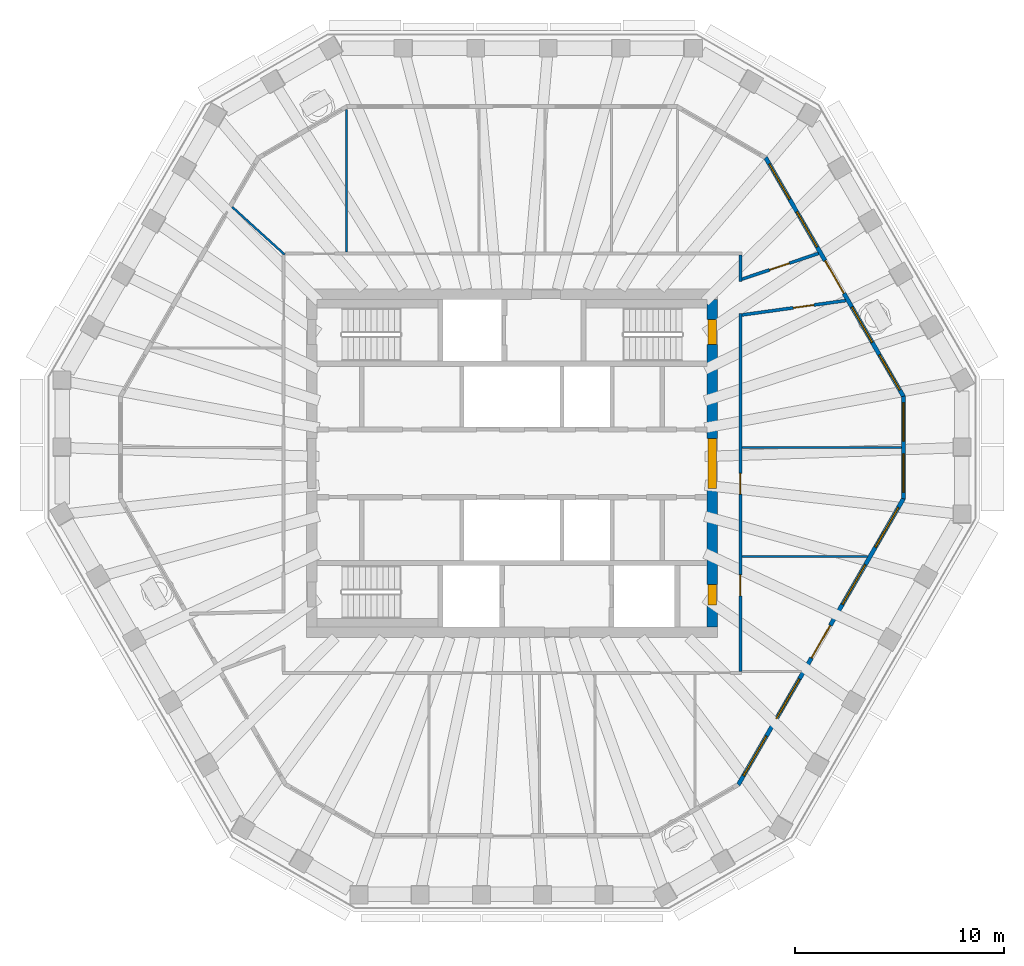
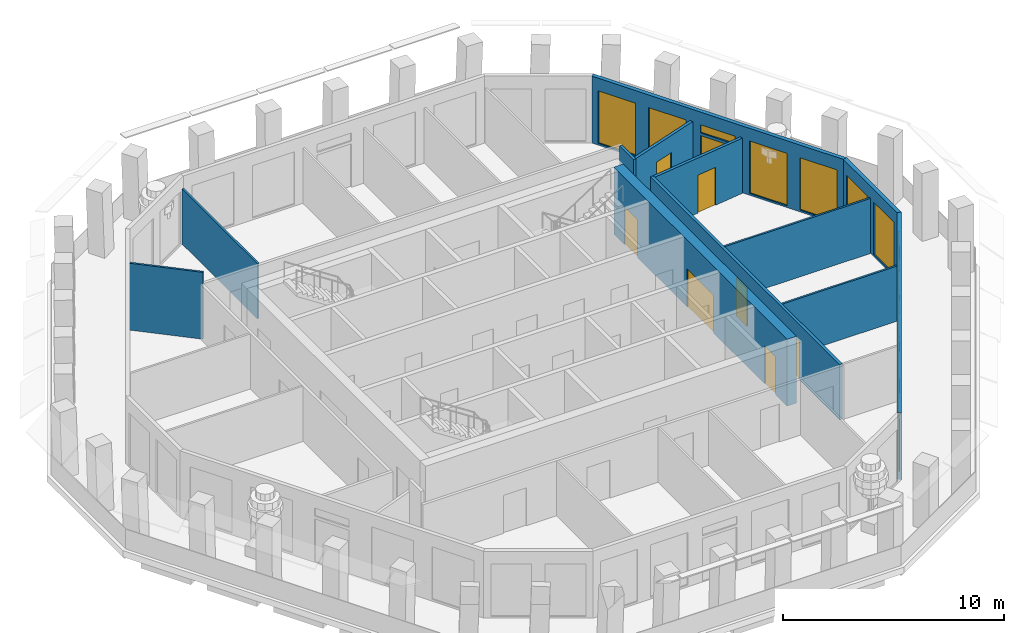
# One storey, part 6 of 11: 12 walls, 12 windows, 9 doors, 21 openings.
"""IFC4 building model written with IfcOpenShell, lengths in metres."""

from ifc_helpers import new_model, si_unit, direction, frame, frame_2d, origin, place, context, subcontext, project, spatial, polyline, rectangle, outline, extrude, material, layer, layer_set, type_object, element, fill, save


model = new_model("IFC4")

# Units and contexts
model_context = context("Model", 3, precision=1e-05, world=origin(), true_north=direction((0.0, 1.0)))
body_context = subcontext(model_context, "Body", "Model", "MODEL_VIEW")
ifc_project = project(units=[si_unit("LENGTHUNIT", "METRE"), si_unit("AREAUNIT", "SQUARE_METRE"), si_unit("VOLUMEUNIT", "CUBIC_METRE"), si_unit("PLANEANGLEUNIT", "RADIAN"), si_unit("MASSUNIT", "GRAM", prefix="KILO")], contexts=[model_context])

# Site, building, storey
site_placement = place(None, origin())
site = spatial("IfcSite", under=ifc_project, at=site_placement, CompositionType="ELEMENT")
building_placement = place(site_placement, origin())
building = spatial("IfcBuilding", under=site, at=building_placement, Name="Frailejon Research Tower", CompositionType="ELEMENT")
storey_placement = place(building_placement, frame((0.0, 0.0, 332.60009765625)))
storey = spatial("IfcBuildingStorey", under=building, at=storey_placement, Name="L74", CompositionType="ELEMENT", Elevation=332.60009765625)

# Wall, openings, doors
ifc_material_1 = material(Name="Concrete C50/60", Category="concrete")
ifc_layer_1 = layer(ifc_material_1, 0.5)
ifc_layer_set_1 = layer_set([ifc_layer_1], Name="Core shear wall 500 C50/60")
wall_type_1 = type_object("IfcWallType", Name="Core shear wall 500 C50/60", PredefinedType="SHEAR", material=ifc_layer_set_1)
wall_1_placement = place(storey_placement, frame((9.60009765625, -7.85009765625, 0.0), z_axis=(0.0, 0.0, 1.0), x_axis=(0.0, 1.0, 0.0)))
wall_1 = element("IfcWall", 1, at=wall_1_placement, inside=storey, type_object=wall_type_1, Name="Core shear wall", PredefinedType="SHEAR", context=body_context, shape_type="SweptSolid", body=[
    extrude(rectangle(XDim=15.7001953125, YDim=0.5, at=frame_2d((7.85009765625, 0.0))), origin(), (0.0, 0.0, 1.0), 3.699951171875),
])
opening_1_placement = place(wall_1_placement, frame((6.64990234375, 0.0, 0.0)))
opening_1 = element("IfcOpeningElement", 2, at=opening_1_placement, cuts=wall_1, Name="Opening D2", PredefinedType="OPENING", context=body_context, shape_type="SweptSolid", body=[
    extrude(rectangle(XDim=2.39990234375, YDim=2.10009765625, at=frame_2d((1.199951171875, 1.050048828125))), frame((0.0, 0.260009765625, 0.0), z_axis=(0.0, -1.0, 0.0), x_axis=(1.0, 0.0, 0.0)), (0.0, 0.0, 1.0), 0.52001953125),
])
opening_2_placement = place(wall_1_placement, frame((13.550048828125, 0.0, 0.0)))
opening_2 = element("IfcOpeningElement", 3, at=opening_2_placement, cuts=wall_1, Name="Opening D1", PredefinedType="OPENING", context=body_context, shape_type="SweptSolid", body=[
    extrude(rectangle(XDim=1.199951171875, YDim=2.10009765625, at=frame_2d((0.60009765625, 1.050048828125))), frame((0.0, 0.260009765625, 0.0), z_axis=(0.0, -1.0, 0.0), x_axis=(1.0, 0.0, 0.0)), (0.0, 0.0, 1.0), 0.52001953125),
])
opening_3_placement = place(wall_1_placement, frame((1.050048828125, 0.0, 0.0)))
opening_3 = element("IfcOpeningElement", 4, at=opening_3_placement, cuts=wall_1, Name="Opening D4", PredefinedType="OPENING", context=body_context, shape_type="SweptSolid", body=[
    extrude(rectangle(XDim=1.0, YDim=2.10009765625, at=frame_2d((0.5, 1.050048828125))), frame((0.0, 0.260009765625, 0.0), z_axis=(0.0, -1.0, 0.0), x_axis=(1.0, 0.0, 0.0)), (0.0, 0.0, 1.0), 0.52001953125),
])
ifc_material_2 = material(Name="Steel", Category="steel")
door_type_1 = type_object("IfcDoorType", Name="Lobby double door", OperationType="DOUBLE_DOOR_SINGLE_SWING", PredefinedType="DOOR", material=ifc_material_2)
door_1_placement = place(opening_1_placement, origin())
door_1 = element("IfcDoor", 5, at=door_1_placement, inside=storey, type_object=door_type_1, Name="Lobby door", OperationType="DOUBLE_DOOR_SINGLE_SWING", OverallHeight=2.10009765625, OverallWidth=2.39990234375, PredefinedType="DOOR", context=body_context, shape_type="SweptSolid", body=[
    extrude(rectangle(XDim=2.39990234375, YDim=2.10009765625, at=frame_2d((1.199951171875, 1.050048828125))), frame((0.0, 0.199951171875, 0.0), z_axis=(0.0, -1.0, 0.0), x_axis=(1.0, 0.0, 0.0)), (0.0, 0.0, 1.0), 0.39990234375),
])
fill(opening_1, door_1)
ifc_material_3 = material(Name="Steel", Category="steel")
door_type_2 = type_object("IfcDoorType", Name="Service door", OperationType="SINGLE_SWING_LEFT", PredefinedType="DOOR", material=ifc_material_3)
door_2_placement = place(opening_3_placement, origin())
door_2 = element("IfcDoor", 6, at=door_2_placement, inside=storey, type_object=door_type_2, Name="Riser door", OperationType="SINGLE_SWING_LEFT", OverallHeight=2.10009765625, OverallWidth=1.0, PredefinedType="DOOR", context=body_context, shape_type="SweptSolid", body=[
    extrude(rectangle(XDim=1.0, YDim=2.10009765625, at=frame_2d((0.5, 1.050048828125))), frame((0.0, 0.199951171875, 0.0), z_axis=(0.0, -1.0, 0.0), x_axis=(1.0, 0.0, 0.0)), (0.0, 0.0, 1.0), 0.39990234375),
])
fill(opening_3, door_2)
ifc_material_4 = material(Name="Steel", Category="steel")
door_type_3 = type_object("IfcDoorType", Name="Stair door", OperationType="SINGLE_SWING_LEFT", PredefinedType="DOOR", material=ifc_material_4)
door_3_placement = place(opening_2_placement, origin())
door_3 = element("IfcDoor", 7, at=door_3_placement, inside=storey, type_object=door_type_3, Name="Stair door ST3", OperationType="SINGLE_SWING_RIGHT", OverallHeight=2.10009765625, OverallWidth=1.199951171875, PredefinedType="DOOR", context=body_context, shape_type="SweptSolid", body=[
    extrude(rectangle(XDim=1.199951171875, YDim=2.10009765625, at=frame_2d((0.60009765625, 1.050048828125))), frame((0.0, 0.199951171875, 0.0), z_axis=(0.0, -1.0, 0.0), x_axis=(1.0, 0.0, 0.0)), (0.0, 0.0, 1.0), 0.39990234375),
])
fill(opening_2, door_3)

# Wall, opening, door
ifc_material_5 = material(Name="Gypsum board and masonry partition", Category="masonry")
ifc_layer_2 = layer(ifc_material_5, 0.14990234375)
ifc_layer_set_2 = layer_set([ifc_layer_2], Name="Corridor wall EI 60, gypsum on steel studs 150")
wall_type_2 = type_object("IfcWallType", Name="Corridor wall EI 60, gypsum on steel studs 150", PredefinedType="PARTITIONING", material=ifc_layer_set_2)
wall_2_placement = place(storey_placement, frame((11.0244140625, 7.1103515625, 0.0), z_axis=(0.0, 0.0, 1.0), x_axis=(0.990540616046, 0.137219852657, 0.0)))
wall_2 = element("IfcWall", 8, at=wall_2_placement, inside=storey, type_object=wall_type_2, Name="T:IW:L74:001", PredefinedType="PARTITIONING", context=body_context, shape_type="SweptSolid", body=[
    extrude(rectangle(XDim=5.02099609375, YDim=0.14990234375, at=frame_2d((2.510498046875, 0.0))), origin(), (0.0, 0.0, 1.0), 3.0498046875),
])
opening_4_placement = place(wall_2_placement, frame((2.482421875, 0.0, 0.0)))
opening_4 = element("IfcOpeningElement", 9, at=opening_4_placement, cuts=wall_2, Name="Opening D2380", PredefinedType="OPENING", context=body_context, shape_type="SweptSolid", body=[
    extrude(rectangle(XDim=1.0, YDim=2.10009765625, at=frame_2d((0.5, 1.050048828125))), frame((0.0, 0.0849609375, 0.0), z_axis=(0.0, -1.0, 0.0), x_axis=(1.0, 0.0, 0.0)), (0.0, 0.0, 1.0), 0.169921875),
])
ifc_material_6 = material(Name="Timber door leaf", Category="wood")
door_type_4 = type_object("IfcDoorType", Name="Door single leaf, timber, steel frame 1000", OperationType="NOTDEFINED", PredefinedType="DOOR", material=ifc_material_6)
door_4_placement = place(opening_4_placement, origin())
door_4 = element("IfcDoor", 10, at=door_4_placement, inside=storey, type_object=door_type_4, Name="D2380", OperationType="SINGLE_SWING_RIGHT", OverallHeight=2.10009765625, OverallWidth=1.0, PredefinedType="DOOR", context=body_context, shape_type="SweptSolid", body=[
    extrude(rectangle(XDim=1.0, YDim=2.10009765625, at=frame_2d((0.5, 1.050048828125))), frame((0.0, 0.02490234375, 0.0), z_axis=(0.0, -1.0, 0.0), x_axis=(1.0, 0.0, 0.0)), (0.0, 0.0, 1.0), 0.050048828125),
])
fill(opening_4, door_4)

wall_3_placement = place(storey_placement, frame((11.02099609375, 8.823974609375, 0.0), z_axis=(0.0, 0.0, 1.0), x_axis=(0.94773378351, 0.319062181389, 0.0)))
wall_3 = element("IfcWall", 11, at=wall_3_placement, inside=storey, type_object=wall_type_2, Name="T:IW:L74:002", PredefinedType="PARTITIONING", context=body_context, shape_type="SweptSolid", body=[
    extrude(rectangle(XDim=3.8740234375, YDim=0.14990234375, at=frame_2d((1.93701171875, 0.0))), origin(), (0.0, 0.0, 1.0), 3.0498046875),
])
opening_5_placement = place(wall_3_placement, frame((1.3994140625, 0.0, 0.0)))
opening_5 = element("IfcOpeningElement", 12, at=opening_5_placement, cuts=wall_3, Name="Opening D2381", PredefinedType="OPENING", context=body_context, shape_type="SweptSolid", body=[
    extrude(rectangle(XDim=1.0, YDim=2.10009765625, at=frame_2d((0.5, 1.050048828125))), frame((0.0, 0.0849609375, 0.0), z_axis=(0.0, -1.0, 0.0), x_axis=(1.0, 0.0, 0.0)), (0.0, 0.0, 1.0), 0.169921875),
])
door_5_placement = place(opening_5_placement, origin())
door_5 = element("IfcDoor", 13, at=door_5_placement, inside=storey, type_object=door_type_4, Name="D2381", OperationType="SINGLE_SWING_LEFT", OverallHeight=2.10009765625, OverallWidth=1.0, PredefinedType="DOOR", context=body_context, shape_type="SweptSolid", body=[
    extrude(rectangle(XDim=1.0, YDim=2.10009765625, at=frame_2d((0.5, 1.050048828125))), frame((0.0, 0.02490234375, 0.0), z_axis=(0.0, -1.0, 0.0), x_axis=(1.0, 0.0, 0.0)), (0.0, 0.0, 1.0), 0.050048828125),
])
fill(opening_5, door_5)

# Wall, openings, doors
wall_4_placement = place(storey_placement, frame((10.949951171875, -9.97509765625, 0.0), z_axis=(0.0, 0.0, 1.0), x_axis=(0.0, 1.0, 0.0)))
wall_4 = element("IfcWall", 14, at=wall_4_placement, inside=storey, type_object=wall_type_2, Name="T:IW:L74:003", PredefinedType="PARTITIONING", context=body_context, shape_type="SweptSolid", body=[
    extrude(rectangle(XDim=17.150146484375, YDim=0.14990234375, at=frame_2d((8.5751953125, 0.0))), origin(), (0.0, 0.0, 1.0), 3.0498046875),
])
opening_6_placement = place(wall_4_placement, frame((3.62353515625, 0.0, 0.0)))
opening_6 = element("IfcOpeningElement", 15, at=opening_6_placement, cuts=wall_4, Name="Opening D2395", PredefinedType="OPENING", context=body_context, shape_type="SweptSolid", body=[
    extrude(rectangle(XDim=1.0, YDim=2.10009765625, at=frame_2d((0.5, 1.050048828125))), frame((0.0, 0.0849609375, 0.0), z_axis=(0.0, -1.0, 0.0), x_axis=(1.0, 0.0, 0.0)), (0.0, 0.0, 1.0), 0.169921875),
])
opening_7_placement = place(wall_4_placement, frame((8.496337890625, 0.0, 0.0)))
opening_7 = element("IfcOpeningElement", 16, at=opening_7_placement, cuts=wall_4, Name="Opening D2396", PredefinedType="OPENING", context=body_context, shape_type="SweptSolid", body=[
    extrude(rectangle(XDim=1.0, YDim=2.10009765625, at=frame_2d((0.5, 1.050048828125))), frame((0.0, 0.0849609375, 0.0), z_axis=(0.0, -1.0, 0.0), x_axis=(1.0, 0.0, 0.0)), (0.0, 0.0, 1.0), 0.169921875),
])
door_6_placement = place(opening_6_placement, origin())
door_6 = element("IfcDoor", 17, at=door_6_placement, inside=storey, type_object=door_type_4, Name="D2395", OperationType="SINGLE_SWING_RIGHT", OverallHeight=2.10009765625, OverallWidth=1.0, PredefinedType="DOOR", context=body_context, shape_type="SweptSolid", body=[
    extrude(rectangle(XDim=1.0, YDim=2.10009765625, at=frame_2d((0.5, 1.050048828125))), frame((0.0, 0.02490234375, 0.0), z_axis=(0.0, -1.0, 0.0), x_axis=(1.0, 0.0, 0.0)), (0.0, 0.0, 1.0), 0.050048828125),
])
fill(opening_6, door_6)
door_7_placement = place(opening_7_placement, origin())
door_7 = element("IfcDoor", 18, at=door_7_placement, inside=storey, type_object=door_type_4, Name="D2396", OperationType="SINGLE_SWING_RIGHT", OverallHeight=2.10009765625, OverallWidth=1.0, PredefinedType="DOOR", context=body_context, shape_type="SweptSolid", body=[
    extrude(rectangle(XDim=1.0, YDim=2.10009765625, at=frame_2d((0.5, 1.050048828125))), frame((0.0, 0.02490234375, 0.0), z_axis=(0.0, -1.0, 0.0), x_axis=(1.0, 0.0, 0.0)), (0.0, 0.0, 1.0), 0.050048828125),
])
fill(opening_7, door_7)

# Walls
wall_5_placement = place(storey_placement, frame((10.949951171875, 8.72509765625, 0.0), z_axis=(0.0, 0.0, 1.0), x_axis=(0.0, 1.0, 0.0)))
element("IfcWall", 19, at=wall_5_placement, inside=storey, type_object=wall_type_2, Name="T:IW:L74:004", PredefinedType="PARTITIONING", context=body_context, shape_type="SweptSolid", body=[
    extrude(rectangle(XDim=1.25, YDim=0.14990234375, at=frame_2d((0.625, 0.0))), origin(), (0.0, 0.0, 1.0), 3.0498046875),
])
ifc_material_7 = material(Name="Gypsum board and masonry partition", Category="masonry")
ifc_layer_3 = layer(ifc_material_7, 0.10009765625)
ifc_layer_set_3 = layer_set([ifc_layer_3], Name="Partition, gypsum on steel studs 100")
wall_type_3 = type_object("IfcWallType", Name="Partition, gypsum on steel studs 100", PredefinedType="PARTITIONING", material=ifc_layer_set_3)
wall_6_placement = place(storey_placement, frame((11.02490234375, 0.754150390625, 0.0), z_axis=(0.0, 0.0, 1.0), x_axis=(1.0, 0.0, 0.0)))
element("IfcWall", 20, at=wall_6_placement, inside=storey, type_object=wall_type_3, Name="T:IW:L74:012", PredefinedType="PARTITIONING", context=body_context, shape_type="SweptSolid", body=[
    extrude(rectangle(XDim=7.63818359375, YDim=0.10009765625, at=frame_2d((3.819091796875, 0.0))), origin(), (0.0, 0.0, 1.0), 3.0498046875),
])
wall_7_placement = place(storey_placement, frame((-7.934814453125, 10.125, 0.0), z_axis=(0.0, 0.0, 1.0), x_axis=(0.0, 1.0, 0.0)))
element("IfcWall", 21, at=wall_7_placement, inside=storey, type_object=wall_type_3, Name="T:IW:L74:017", PredefinedType="PARTITIONING", context=body_context, shape_type="SweptSolid", body=[
    extrude(rectangle(XDim=6.843994140625, YDim=0.10009765625, at=frame_2d((3.421875, 0.0))), origin(), (0.0, 0.0, 1.0), 3.0498046875),
])
wall_8_placement = place(storey_placement, frame((-13.40869140625, 12.28369140625, 0.0), z_axis=(0.0, 0.0, 1.0), x_axis=(0.740148176986, -0.672443808883, 0.0)))
element("IfcWall", 22, at=wall_8_placement, inside=storey, type_object=wall_type_3, Name="T:IW:L74:018", PredefinedType="PARTITIONING", context=body_context, shape_type="SweptSolid", body=[
    extrude(rectangle(XDim=3.396728515625, YDim=0.10009765625, at=frame_2d((1.6982421875, 0.0))), origin(), (0.0, 0.0, 1.0), 3.699951171875),
])
wall_9_placement = place(storey_placement, frame((11.02490234375, -4.47705078125, 0.0), z_axis=(0.0, 0.0, 1.0), x_axis=(1.0, 0.0, 0.0)))
element("IfcWall", 23, at=wall_9_placement, inside=storey, type_object=wall_type_3, Name="T:IW:L74:025", PredefinedType="PARTITIONING", context=body_context, shape_type="SweptSolid", body=[
    extrude(rectangle(XDim=6.020263671875, YDim=0.10009765625, at=frame_2d((3.01025390625, 0.0))), origin(), (0.0, 0.0, 1.0), 3.0498046875),
])

# Wall, openings, windows
ifc_material_8 = material(Name="Concrete C40/50 precast window wall panel", Category="concrete")
ifc_layer_4 = layer(ifc_material_8, 0.199951171875)
ifc_layer_set_4 = layer_set([ifc_layer_4], Name="Window wall 200")
wall_type_4 = type_object("IfcWallType", Name="Window wall 200", PredefinedType="SOLIDWALL", material=ifc_layer_set_4)
wall_10_placement = place(storey_placement, frame((18.762939453125, -1.70166015625, 0.0), z_axis=(0.0, 0.0, 1.0), x_axis=(0.0, 1.0, 0.0)))
wall_10 = element("IfcWall", 24, at=wall_10_placement, inside=storey, type_object=wall_type_4, Name="Exterior wall L74", PredefinedType="SOLIDWALL", context=body_context, shape_type="SweptSolid", body=[
    extrude(outline(polyline([(-0.02685546875, -0.10009765625), (1.21435546875, -0.10009765625), (2.455810546875, -0.10009765625), (3.697265625, -0.10009765625), (4.9384765625, -0.10009765625), (4.884765625, 0.10009765625), (3.67041015625, 0.10009765625), (2.455810546875, 0.10009765625), (1.2412109375, 0.10009765625), (0.02685546875, 0.10009765625), (-0.02685546875, -0.10009765625)])), origin(), (0.0, 0.0, 1.0), 3.699951171875),
])
opening_8_placement = place(wall_10_placement, frame((0.302978515625, 0.0, 0.10009765625)))
opening_8 = element("IfcOpeningElement", 25, at=opening_8_placement, cuts=wall_10, Name="Opening W26", PredefinedType="OPENING", context=body_context, shape_type="SweptSolid", body=[
    extrude(rectangle(XDim=1.85009765625, YDim=2.89990234375, at=frame_2d((0.925048828125, 1.449951171875))), frame((0.0, 0.10986328125, 0.0), z_axis=(0.0, -1.0, 0.0), x_axis=(1.0, 0.0, 0.0)), (0.0, 0.0, 1.0), 0.219970703125),
])
opening_9_placement = place(wall_10_placement, frame((2.7587890625, 0.0, 0.10009765625)))
opening_9 = element("IfcOpeningElement", 26, at=opening_9_placement, cuts=wall_10, Name="Opening W26", PredefinedType="OPENING", context=body_context, shape_type="SweptSolid", body=[
    extrude(rectangle(XDim=1.85009765625, YDim=2.89990234375, at=frame_2d((0.925048828125, 1.449951171875))), frame((0.0, 0.10986328125, 0.0), z_axis=(0.0, -1.0, 0.0), x_axis=(1.0, 0.0, 0.0)), (0.0, 0.0, 1.0), 0.219970703125),
])
ifc_material_9 = material(Name="Aluminium framed double glazing", Category="aluminium")
window_type_1 = type_object("IfcWindowType", Name="Window 1850x2900", PartitioningType="SINGLE_PANEL", PredefinedType="WINDOW", material=ifc_material_9)
window_1_placement = place(opening_8_placement, origin())
window_1 = element("IfcWindow", 27, at=window_1_placement, inside=storey, type_object=window_type_1, Name="Window L74", OverallHeight=2.89990234375, OverallWidth=1.85009765625, PartitioningType="SINGLE_PANEL", PredefinedType="WINDOW", context=body_context, shape_type="SweptSolid", body=[
    extrude(rectangle(XDim=1.85009765625, YDim=2.89990234375, at=frame_2d((0.925048828125, 1.449951171875))), frame((0.0, 0.030029296875, 0.0), z_axis=(0.0, -1.0, 0.0), x_axis=(1.0, 0.0, 0.0)), (0.0, 0.0, 1.0), 0.06005859375),
])
fill(opening_8, window_1)
window_2_placement = place(opening_9_placement, origin())
window_2 = element("IfcWindow", 28, at=window_2_placement, inside=storey, type_object=window_type_1, Name="Window L74", OverallHeight=2.89990234375, OverallWidth=1.85009765625, PartitioningType="SINGLE_PANEL", PredefinedType="WINDOW", context=body_context, shape_type="SweptSolid", body=[
    extrude(rectangle(XDim=1.85009765625, YDim=2.89990234375, at=frame_2d((0.925048828125, 1.449951171875))), frame((0.0, 0.030029296875, 0.0), z_axis=(0.0, -1.0, 0.0), x_axis=(1.0, 0.0, 0.0)), (0.0, 0.0, 1.0), 0.06005859375),
])
fill(opening_9, window_2)

# Wall, openings, door, windows
wall_11_placement = place(storey_placement, frame((18.762939453125, 3.2099609375, 0.0), z_axis=(0.0, 0.0, 1.0), x_axis=(-0.499983359811, 0.866035010789, 0.0)))
wall_11 = element("IfcWall", 29, at=wall_11_placement, inside=storey, type_object=wall_type_4, Name="Exterior wall L74", PredefinedType="SOLIDWALL", context=body_context, shape_type="SweptSolid", body=[
    extrude(outline(polyline([(-0.02685546875, -0.10009765625), (0.992919921875, -0.10009765625), (2.0126953125, -0.10009765625), (3.032470703125, -0.10009765625), (4.05224609375, -0.10009765625), (5.072021484375, -0.10009765625), (6.091796875, -0.10009765625), (7.111328125, -0.10009765625), (8.131103515625, -0.10009765625), (9.15087890625, -0.10009765625), (10.170654296875, -0.10009765625), (11.1904296875, -0.10009765625), (12.210205078125, -0.10009765625), (13.22998046875, -0.10009765625), (13.17626953125, 0.10009765625), (12.164794921875, 0.10009765625), (11.1533203125, 0.10009765625), (10.141845703125, 0.10009765625), (9.13037109375, 0.10009765625), (8.118896484375, 0.10009765625), (7.107421875, 0.10009765625), (6.095703125, 0.10009765625), (5.084228515625, 0.10009765625), (4.07275390625, 0.10009765625), (3.061279296875, 0.10009765625), (2.0498046875, 0.10009765625), (1.038330078125, 0.10009765625), (0.02685546875, 0.10009765625), (-0.02685546875, -0.10009765625)])), origin(), (0.0, 0.0, 1.0), 3.699951171875),
])
opening_10_placement = place(wall_11_placement, frame((0.34521484375, 0.0, 0.10009765625)))
opening_10 = element("IfcOpeningElement", 30, at=opening_10_placement, cuts=wall_11, Name="Opening W27", PredefinedType="OPENING", context=body_context, shape_type="SweptSolid", body=[
    extrude(rectangle(XDim=1.949951171875, YDim=2.89990234375, at=frame_2d((0.97509765625, 1.449951171875))), frame((0.0, 0.10986328125, 0.0), z_axis=(0.0, -1.0, 0.0), x_axis=(1.0, 0.0, 0.0)), (0.0, 0.0, 1.0), 0.219970703125),
])
opening_11_placement = place(wall_11_placement, frame((2.98583984375, 0.0, 0.10009765625)))
opening_11 = element("IfcOpeningElement", 31, at=opening_11_placement, cuts=wall_11, Name="Opening W27", PredefinedType="OPENING", context=body_context, shape_type="SweptSolid", body=[
    extrude(rectangle(XDim=1.949951171875, YDim=2.89990234375, at=frame_2d((0.97509765625, 1.449951171875))), frame((0.0, 0.10986328125, 0.0), z_axis=(0.0, -1.0, 0.0), x_axis=(1.0, 0.0, 0.0)), (0.0, 0.0, 1.0), 0.219970703125),
])
opening_12_placement = place(wall_11_placement, frame((5.701416015625, 0.0, 0.0)))
opening_12 = element("IfcOpeningElement", 32, at=opening_12_placement, cuts=wall_11, Name="Opening LG74-1", PredefinedType="OPENING", context=body_context, shape_type="SweptSolid", body=[
    extrude(rectangle(XDim=1.800048828125, YDim=2.39990234375, at=frame_2d((0.89990234375, 1.199951171875))), frame((0.0, 0.10986328125, 0.0), z_axis=(0.0, -1.0, 0.0), x_axis=(1.0, 0.0, 0.0)), (0.0, 0.0, 1.0), 0.219970703125),
])
opening_13_placement = place(wall_11_placement, frame((5.701416015625, 0.0, 2.550048828125)))
opening_13 = element("IfcOpeningElement", 33, at=opening_13_placement, cuts=wall_11, Name="Opening W1", PredefinedType="OPENING", context=body_context, shape_type="SweptSolid", body=[
    extrude(rectangle(XDim=1.800048828125, YDim=0.449951171875, at=frame_2d((0.89990234375, 0.22509765625))), frame((0.0, 0.10986328125, 0.0), z_axis=(0.0, -1.0, 0.0), x_axis=(1.0, 0.0, 0.0)), (0.0, 0.0, 1.0), 0.219970703125),
])
opening_14_placement = place(wall_11_placement, frame((8.26708984375, 0.0, 0.10009765625)))
opening_14 = element("IfcOpeningElement", 34, at=opening_14_placement, cuts=wall_11, Name="Opening W27", PredefinedType="OPENING", context=body_context, shape_type="SweptSolid", body=[
    extrude(rectangle(XDim=1.949951171875, YDim=2.89990234375, at=frame_2d((0.97509765625, 1.449951171875))), frame((0.0, 0.10986328125, 0.0), z_axis=(0.0, -1.0, 0.0), x_axis=(1.0, 0.0, 0.0)), (0.0, 0.0, 1.0), 0.219970703125),
])
opening_15_placement = place(wall_11_placement, frame((10.90771484375, 0.0, 0.10009765625)))
opening_15 = element("IfcOpeningElement", 35, at=opening_15_placement, cuts=wall_11, Name="Opening W27", PredefinedType="OPENING", context=body_context, shape_type="SweptSolid", body=[
    extrude(rectangle(XDim=1.949951171875, YDim=2.89990234375, at=frame_2d((0.97509765625, 1.449951171875))), frame((0.0, 0.10986328125, 0.0), z_axis=(0.0, -1.0, 0.0), x_axis=(1.0, 0.0, 0.0)), (0.0, 0.0, 1.0), 0.219970703125),
])
ifc_material_10 = material(Name="Aluminium framed glazed door leaf", Category="aluminium")
door_type_5 = type_object("IfcDoorType", Name="Loggia door 1800x2400", OperationType="DOUBLE_DOOR_SINGLE_SWING", PredefinedType="DOOR", material=ifc_material_10)
door_8_placement = place(opening_12_placement, origin())
door_8 = element("IfcDoor", 36, at=door_8_placement, inside=storey, type_object=door_type_5, Name="Door LG74-1", OperationType="DOUBLE_DOOR_SINGLE_SWING", OverallHeight=2.39990234375, OverallWidth=1.800048828125, PredefinedType="DOOR", context=body_context, shape_type="SweptSolid", body=[
    extrude(rectangle(XDim=1.800048828125, YDim=2.39990234375, at=frame_2d((0.89990234375, 1.199951171875))), frame((0.0, 0.02490234375, 0.0), z_axis=(0.0, -1.0, 0.0), x_axis=(1.0, 0.0, 0.0)), (0.0, 0.0, 1.0), 0.050048828125),
])
fill(opening_12, door_8)
ifc_material_11 = material(Name="Aluminium framed double glazing", Category="aluminium")
window_type_2 = type_object("IfcWindowType", Name="Window 1800x450", PartitioningType="SINGLE_PANEL", PredefinedType="WINDOW", material=ifc_material_11)
window_3_placement = place(opening_13_placement, origin())
window_3 = element("IfcWindow", 37, at=window_3_placement, inside=storey, type_object=window_type_2, Name="Window L74", OverallHeight=0.449951171875, OverallWidth=1.800048828125, PartitioningType="SINGLE_PANEL", PredefinedType="WINDOW", context=body_context, shape_type="SweptSolid", body=[
    extrude(rectangle(XDim=1.800048828125, YDim=0.449951171875, at=frame_2d((0.89990234375, 0.22509765625))), frame((0.0, 0.030029296875, 0.0), z_axis=(0.0, -1.0, 0.0), x_axis=(1.0, 0.0, 0.0)), (0.0, 0.0, 1.0), 0.06005859375),
])
fill(opening_13, window_3)
ifc_material_12 = material(Name="Aluminium framed double glazing", Category="aluminium")
window_type_3 = type_object("IfcWindowType", Name="Window 1950x2900", PartitioningType="SINGLE_PANEL", PredefinedType="WINDOW", material=ifc_material_12)
window_4_placement = place(opening_10_placement, origin())
window_4 = element("IfcWindow", 38, at=window_4_placement, inside=storey, type_object=window_type_3, Name="Window L74", OverallHeight=2.89990234375, OverallWidth=1.949951171875, PartitioningType="SINGLE_PANEL", PredefinedType="WINDOW", context=body_context, shape_type="SweptSolid", body=[
    extrude(rectangle(XDim=1.949951171875, YDim=2.89990234375, at=frame_2d((0.97509765625, 1.449951171875))), frame((0.0, 0.030029296875, 0.0), z_axis=(0.0, -1.0, 0.0), x_axis=(1.0, 0.0, 0.0)), (0.0, 0.0, 1.0), 0.06005859375),
])
fill(opening_10, window_4)
window_5_placement = place(opening_11_placement, origin())
window_5 = element("IfcWindow", 39, at=window_5_placement, inside=storey, type_object=window_type_3, Name="Window L74", OverallHeight=2.89990234375, OverallWidth=1.949951171875, PartitioningType="SINGLE_PANEL", PredefinedType="WINDOW", context=body_context, shape_type="SweptSolid", body=[
    extrude(rectangle(XDim=1.949951171875, YDim=2.89990234375, at=frame_2d((0.97509765625, 1.449951171875))), frame((0.0, 0.030029296875, 0.0), z_axis=(0.0, -1.0, 0.0), x_axis=(1.0, 0.0, 0.0)), (0.0, 0.0, 1.0), 0.06005859375),
])
fill(opening_11, window_5)
window_6_placement = place(opening_14_placement, origin())
window_6 = element("IfcWindow", 40, at=window_6_placement, inside=storey, type_object=window_type_3, Name="Window L74", OverallHeight=2.89990234375, OverallWidth=1.949951171875, PartitioningType="SINGLE_PANEL", PredefinedType="WINDOW", context=body_context, shape_type="SweptSolid", body=[
    extrude(rectangle(XDim=1.949951171875, YDim=2.89990234375, at=frame_2d((0.97509765625, 1.449951171875))), frame((0.0, 0.030029296875, 0.0), z_axis=(0.0, -1.0, 0.0), x_axis=(1.0, 0.0, 0.0)), (0.0, 0.0, 1.0), 0.06005859375),
])
fill(opening_14, window_6)
window_7_placement = place(opening_15_placement, origin())
window_7 = element("IfcWindow", 41, at=window_7_placement, inside=storey, type_object=window_type_3, Name="Window L74", OverallHeight=2.89990234375, OverallWidth=1.949951171875, PartitioningType="SINGLE_PANEL", PredefinedType="WINDOW", context=body_context, shape_type="SweptSolid", body=[
    extrude(rectangle(XDim=1.949951171875, YDim=2.89990234375, at=frame_2d((0.97509765625, 1.449951171875))), frame((0.0, 0.030029296875, 0.0), z_axis=(0.0, -1.0, 0.0), x_axis=(1.0, 0.0, 0.0)), (0.0, 0.0, 1.0), 0.06005859375),
])
fill(opening_15, window_7)

wall_12_placement = place(storey_placement, frame((10.85498046875, -15.3984375, 0.0), z_axis=(0.0, 0.0, 1.0), x_axis=(0.500005733105, 0.86602209375, 0.0)))
wall_12 = element("IfcWall", 42, at=wall_12_placement, inside=storey, type_object=wall_type_4, Name="Exterior wall L74", PredefinedType="SOLIDWALL", context=body_context, shape_type="SweptSolid", body=[
    extrude(outline(polyline([(-0.02685546875, -0.10009765625), (1.031005859375, -0.10009765625), (2.089111328125, -0.10009765625), (3.14697265625, -0.10009765625), (4.205078125, -0.10009765625), (5.262939453125, -0.10009765625), (6.32080078125, -0.10009765625), (7.37890625, -0.10009765625), (8.436767578125, -0.10009765625), (9.494873046875, -0.10009765625), (10.552734375, -0.10009765625), (11.610595703125, -0.10009765625), (12.668701171875, -0.10009765625), (13.7265625, -0.10009765625), (14.78466796875, -0.10009765625), (15.842529296875, -0.10009765625), (15.788818359375, 0.10009765625), (14.738037109375, 0.10009765625), (13.687255859375, 0.10009765625), (12.636474609375, 0.10009765625), (11.585693359375, 0.10009765625), (10.534912109375, 0.10009765625), (9.484130859375, 0.10009765625), (8.433349609375, 0.10009765625), (7.38232421875, 0.10009765625), (6.33154296875, 0.10009765625), (5.28076171875, 0.10009765625), (4.22998046875, 0.10009765625), (3.17919921875, 0.10009765625), (2.12841796875, 0.10009765625), (1.07763671875, 0.10009765625), (0.02685546875, 0.10009765625), (-0.02685546875, -0.10009765625)])), origin(), (0.0, 0.0, 1.0), 3.699951171875),
])
opening_16_placement = place(wall_12_placement, frame((0.481689453125, 0.0, 0.10009765625)))
opening_16 = element("IfcOpeningElement", 43, at=opening_16_placement, cuts=wall_12, Name="Opening W28", PredefinedType="OPENING", context=body_context, shape_type="SweptSolid", body=[
    extrude(rectangle(XDim=2.199951171875, YDim=2.89990234375, at=frame_2d((1.10009765625, 1.449951171875))), frame((0.0, 0.10986328125, 0.0), z_axis=(0.0, -1.0, 0.0), x_axis=(1.0, 0.0, 0.0)), (0.0, 0.0, 1.0), 0.219970703125),
])
opening_17_placement = place(wall_12_placement, frame((3.644775390625, 0.0, 0.10009765625)))
opening_17 = element("IfcOpeningElement", 44, at=opening_17_placement, cuts=wall_12, Name="Opening W28", PredefinedType="OPENING", context=body_context, shape_type="SweptSolid", body=[
    extrude(rectangle(XDim=2.199951171875, YDim=2.89990234375, at=frame_2d((1.10009765625, 1.449951171875))), frame((0.0, 0.10986328125, 0.0), z_axis=(0.0, -1.0, 0.0), x_axis=(1.0, 0.0, 0.0)), (0.0, 0.0, 1.0), 0.219970703125),
])
opening_18_placement = place(wall_12_placement, frame((7.0078125, 0.0, 0.0)))
opening_18 = element("IfcOpeningElement", 45, at=opening_18_placement, cuts=wall_12, Name="Opening LG74-6", PredefinedType="OPENING", context=body_context, shape_type="SweptSolid", body=[
    extrude(rectangle(XDim=1.800048828125, YDim=2.39990234375, at=frame_2d((0.89990234375, 1.199951171875))), frame((0.0, 0.10986328125, 0.0), z_axis=(0.0, -1.0, 0.0), x_axis=(1.0, 0.0, 0.0)), (0.0, 0.0, 1.0), 0.219970703125),
])
opening_19_placement = place(wall_12_placement, frame((7.0078125, 0.0, 2.550048828125)))
opening_19 = element("IfcOpeningElement", 46, at=opening_19_placement, cuts=wall_12, Name="Opening W1", PredefinedType="OPENING", context=body_context, shape_type="SweptSolid", body=[
    extrude(rectangle(XDim=1.800048828125, YDim=0.449951171875, at=frame_2d((0.89990234375, 0.22509765625))), frame((0.0, 0.10986328125, 0.0), z_axis=(0.0, -1.0, 0.0), x_axis=(1.0, 0.0, 0.0)), (0.0, 0.0, 1.0), 0.219970703125),
])
opening_20_placement = place(wall_12_placement, frame((9.970947265625, 0.0, 0.10009765625)))
opening_20 = element("IfcOpeningElement", 47, at=opening_20_placement, cuts=wall_12, Name="Opening W28", PredefinedType="OPENING", context=body_context, shape_type="SweptSolid", body=[
    extrude(rectangle(XDim=2.199951171875, YDim=2.89990234375, at=frame_2d((1.10009765625, 1.449951171875))), frame((0.0, 0.10986328125, 0.0), z_axis=(0.0, -1.0, 0.0), x_axis=(1.0, 0.0, 0.0)), (0.0, 0.0, 1.0), 0.219970703125),
])
opening_21_placement = place(wall_12_placement, frame((13.13427734375, 0.0, 0.10009765625)))
opening_21 = element("IfcOpeningElement", 48, at=opening_21_placement, cuts=wall_12, Name="Opening W28", PredefinedType="OPENING", context=body_context, shape_type="SweptSolid", body=[
    extrude(rectangle(XDim=2.199951171875, YDim=2.89990234375, at=frame_2d((1.10009765625, 1.449951171875))), frame((0.0, 0.10986328125, 0.0), z_axis=(0.0, -1.0, 0.0), x_axis=(1.0, 0.0, 0.0)), (0.0, 0.0, 1.0), 0.219970703125),
])
door_9_placement = place(opening_18_placement, origin())
door_9 = element("IfcDoor", 49, at=door_9_placement, inside=storey, type_object=door_type_5, Name="Door LG74-6", OperationType="DOUBLE_DOOR_SINGLE_SWING", OverallHeight=2.39990234375, OverallWidth=1.800048828125, PredefinedType="DOOR", context=body_context, shape_type="SweptSolid", body=[
    extrude(rectangle(XDim=1.800048828125, YDim=2.39990234375, at=frame_2d((0.89990234375, 1.199951171875))), frame((0.0, 0.02490234375, 0.0), z_axis=(0.0, -1.0, 0.0), x_axis=(1.0, 0.0, 0.0)), (0.0, 0.0, 1.0), 0.050048828125),
])
fill(opening_18, door_9)
window_8_placement = place(opening_19_placement, origin())
window_8 = element("IfcWindow", 50, at=window_8_placement, inside=storey, type_object=window_type_2, Name="Window L74", OverallHeight=0.449951171875, OverallWidth=1.800048828125, PartitioningType="SINGLE_PANEL", PredefinedType="WINDOW", context=body_context, shape_type="SweptSolid", body=[
    extrude(rectangle(XDim=1.800048828125, YDim=0.449951171875, at=frame_2d((0.89990234375, 0.22509765625))), frame((0.0, 0.030029296875, 0.0), z_axis=(0.0, -1.0, 0.0), x_axis=(1.0, 0.0, 0.0)), (0.0, 0.0, 1.0), 0.06005859375),
])
fill(opening_19, window_8)
ifc_material_13 = material(Name="Aluminium framed double glazing", Category="aluminium")
window_type_4 = type_object("IfcWindowType", Name="Window 2200x2900", PartitioningType="SINGLE_PANEL", PredefinedType="WINDOW", material=ifc_material_13)
window_9_placement = place(opening_16_placement, origin())
window_9 = element("IfcWindow", 51, at=window_9_placement, inside=storey, type_object=window_type_4, Name="Window L74", OverallHeight=2.89990234375, OverallWidth=2.199951171875, PartitioningType="SINGLE_PANEL", PredefinedType="WINDOW", context=body_context, shape_type="SweptSolid", body=[
    extrude(rectangle(XDim=2.199951171875, YDim=2.89990234375, at=frame_2d((1.10009765625, 1.449951171875))), frame((0.0, 0.030029296875, 0.0), z_axis=(0.0, -1.0, 0.0), x_axis=(1.0, 0.0, 0.0)), (0.0, 0.0, 1.0), 0.06005859375),
])
fill(opening_16, window_9)
window_10_placement = place(opening_17_placement, origin())
window_10 = element("IfcWindow", 52, at=window_10_placement, inside=storey, type_object=window_type_4, Name="Window L74", OverallHeight=2.89990234375, OverallWidth=2.199951171875, PartitioningType="SINGLE_PANEL", PredefinedType="WINDOW", context=body_context, shape_type="SweptSolid", body=[
    extrude(rectangle(XDim=2.199951171875, YDim=2.89990234375, at=frame_2d((1.10009765625, 1.449951171875))), frame((0.0, 0.030029296875, 0.0), z_axis=(0.0, -1.0, 0.0), x_axis=(1.0, 0.0, 0.0)), (0.0, 0.0, 1.0), 0.06005859375),
])
fill(opening_17, window_10)
window_11_placement = place(opening_20_placement, origin())
window_11 = element("IfcWindow", 53, at=window_11_placement, inside=storey, type_object=window_type_4, Name="Window L74", OverallHeight=2.89990234375, OverallWidth=2.199951171875, PartitioningType="SINGLE_PANEL", PredefinedType="WINDOW", context=body_context, shape_type="SweptSolid", body=[
    extrude(rectangle(XDim=2.199951171875, YDim=2.89990234375, at=frame_2d((1.10009765625, 1.449951171875))), frame((0.0, 0.030029296875, 0.0), z_axis=(0.0, -1.0, 0.0), x_axis=(1.0, 0.0, 0.0)), (0.0, 0.0, 1.0), 0.06005859375),
])
fill(opening_20, window_11)
window_12_placement = place(opening_21_placement, origin())
window_12 = element("IfcWindow", 54, at=window_12_placement, inside=storey, type_object=window_type_4, Name="Window L74", OverallHeight=2.89990234375, OverallWidth=2.199951171875, PartitioningType="SINGLE_PANEL", PredefinedType="WINDOW", context=body_context, shape_type="SweptSolid", body=[
    extrude(rectangle(XDim=2.199951171875, YDim=2.89990234375, at=frame_2d((1.10009765625, 1.449951171875))), frame((0.0, 0.030029296875, 0.0), z_axis=(0.0, -1.0, 0.0), x_axis=(1.0, 0.0, 0.0)), (0.0, 0.0, 1.0), 0.06005859375),
])
fill(opening_21, window_12)

save(model, "model.ifc")
